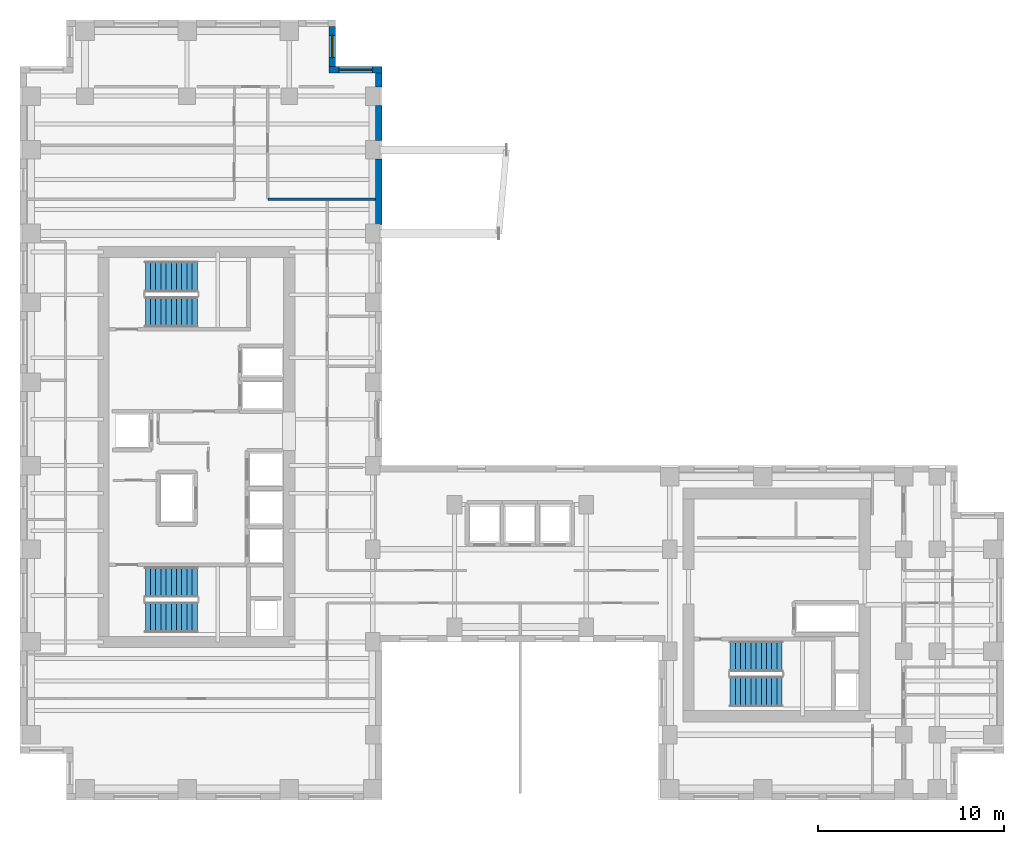
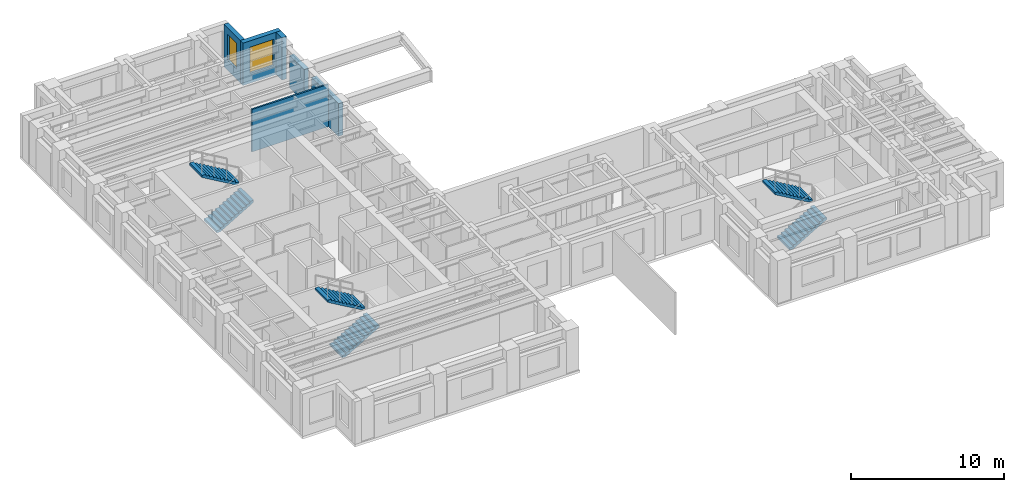
# One storey, part 11 of 13: 6 stair flights, 6 walls, 2 windows, 2 openings, 3 elements without a shape of their own.
"""IFC4 building model written with IfcOpenShell, lengths in metres."""

import ifcopenshell
import ifcopenshell.guid

model = None  # the IFC model being written
_history = None  # IfcOwnerHistory: only IFC2X3 demands one
_inside = {}  # id of a spatial element -> (the spatial element, [elements in it])
_under = {}  # id of a project, library or spatial element -> (it, [spatial elements below it])
_declared = {}  # id of a project -> (the project, [libraries it declares])
_typed = {}  # id of a type object -> (the type object, [elements of that type])
_made_of = {}  # id of a material, layer set ... -> (it, [elements and type objects made of it])


def new_model(schema):
    """Start an empty IFC model of exactly this schema.

    Asked for "IFC4X3", IfcOpenShell would pick the latest addendum, in which some entities
    have other attributes; the version numbers below select the first issue.
    IFC2X3 requires an IfcOwnerHistory on every rooted entity: one is made here for all.
    """
    global model, _history
    if schema == "IFC4X3":
        model = ifcopenshell.file(schema_version=(4, 3, 0, 0))
    else:
        model = ifcopenshell.file(schema=schema)
    _inside.clear()
    _under.clear()
    _declared.clear()
    _typed.clear()
    _made_of.clear()
    _history = None
    if model.schema == "IFC2X3":
        org = make("IfcOrganization", Name="unknown")
        user = make(
            "IfcPersonAndOrganization",
            ThePerson=make("IfcPerson", FamilyName="unknown"),
            TheOrganization=org,
        )
        app = make(
            "IfcApplication",
            ApplicationDeveloper=org,
            Version="unknown",
            ApplicationFullName="unknown",
            ApplicationIdentifier="unknown",
        )
        _history = make(
            "IfcOwnerHistory",
            OwningUser=user,
            OwningApplication=app,
            ChangeAction="ADDED",
            CreationDate=0,
        )
    return model


def make(cls, **values):
    """One entity of the class cls with the attributes given. An attribute that is None is left unset."""
    return model.create_entity(
        cls, **{name: value for name, value in values.items() if value is not None}
    )


def rooted(cls, **values):
    """An entity with a GlobalId (a new one), such as an element, a storey or a relation."""
    return make(cls, GlobalId=ifcopenshell.guid.new(), OwnerHistory=_history, **values)


def si_unit(unit_type, name, prefix=None):
    """IfcSIUnit, for example si_unit("LENGTHUNIT", "METRE", prefix="MILLI")."""
    return make("IfcSIUnit", UnitType=unit_type, Prefix=prefix, Name=name)


def assignment(units):
    """IfcUnitAssignment: the units of a project."""
    return None if units is None else make("IfcUnitAssignment", Units=units)


def point(xyz):
    """IfcCartesianPoint."""
    return None if xyz is None else make("IfcCartesianPoint", Coordinates=xyz)


def direction(xyz):
    """IfcDirection."""
    return None if xyz is None else make("IfcDirection", DirectionRatios=xyz)


def frame(location, z_axis=None, x_axis=None):
    """IfcAxis2Placement3D, a coordinate frame: its origin and axes. An axis left out is left unset."""
    return make(
        "IfcAxis2Placement3D",
        Location=point(location),
        Axis=direction(z_axis),
        RefDirection=direction(x_axis),
    )


def frame_2d(location, x_axis=None):
    """IfcAxis2Placement2D, a coordinate frame in the plane: its origin and x axis."""
    return make(
        "IfcAxis2Placement2D", Location=point(location), RefDirection=direction(x_axis)
    )


def origin():
    """The frame at (0, 0, 0) with its axes left unset."""
    return frame((0.0, 0.0, 0.0))


def place(relative_to, where):
    """IfcLocalPlacement: puts the frame where relative to a parent placement (None: the world)."""
    return make(
        "IfcLocalPlacement", PlacementRelTo=relative_to, RelativePlacement=where
    )


def context(
    kind, dimensions, precision=None, world=None, true_north=None, identifier=None
):
    """IfcGeometricRepresentationContext, for example the 3D "Model" context."""
    return make(
        "IfcGeometricRepresentationContext",
        ContextIdentifier=identifier,
        ContextType=kind,
        CoordinateSpaceDimension=dimensions,
        Precision=precision,
        WorldCoordinateSystem=world,
        TrueNorth=true_north,
    )


def subcontext(parent, identifier, kind, view, scale=None):
    """IfcGeometricRepresentationSubContext, for example "Body" below "Model"."""
    return make(
        "IfcGeometricRepresentationSubContext",
        ContextIdentifier=identifier,
        ContextType=kind,
        ParentContext=parent,
        TargetScale=scale,
        TargetView=view,
    )


def project(units=None, contexts=None):
    """IfcProject with its units and contexts."""
    return rooted(
        "IfcProject",
        Name="project",
        RepresentationContexts=contexts,
        UnitsInContext=assignment(units),
    )


def spatial(cls, under=None, at=None, **own):
    """A site, building, storey or space (cls), placed at a placement, below another one or the project."""
    s = rooted(cls, ObjectPlacement=at, **own)
    if under is not None:
        _under.setdefault(under.id(), (under, []))[1].append(s)
    return s


def polyline(points):
    """IfcPolyline through the points."""
    return make("IfcPolyline", Points=[point(p) for p in points])


def profile(cls, at=None, kind="AREA", **sizes):
    """A parametric profile (cls). Its sizes go by their IFC names, for example OverallWidth=200.0."""
    return make(cls, ProfileType=kind, Position=at, **sizes)


def rectangle(**sizes):
    """IfcRectangleProfileDef."""
    return profile("IfcRectangleProfileDef", **sizes)


def outline(outer, holes=None, kind="AREA"):
    """IfcArbitraryClosedProfileDef: a profile drawn as a closed curve; with holes, ...WithVoids."""
    if holes is None:
        return make("IfcArbitraryClosedProfileDef", ProfileType=kind, OuterCurve=outer)
    return make(
        "IfcArbitraryProfileDefWithVoids",
        ProfileType=kind,
        OuterCurve=outer,
        InnerCurves=holes,
    )


def extrude(swept, where, along, depth):
    """IfcExtrudedAreaSolid: the profile swept, set in the frame where, extruded along a direction by depth."""
    return make(
        "IfcExtrudedAreaSolid",
        SweptArea=swept,
        Position=where,
        ExtrudedDirection=direction(along),
        Depth=depth,
    )


def shape(context_of_items, identifier, shape_type, items):
    """IfcShapeRepresentation: the items that make up one representation, for example the "Body"."""
    return make(
        "IfcShapeRepresentation",
        ContextOfItems=context_of_items,
        RepresentationIdentifier=identifier,
        RepresentationType=shape_type,
        Items=items,
    )


def source(mapping_origin, context_of_items, identifier, shape_type, items):
    """IfcRepresentationMap: a shape defined once, which mapped items show again and again."""
    return make(
        "IfcRepresentationMap",
        MappingOrigin=mapping_origin,
        MappedRepresentation=shape(context_of_items, identifier, shape_type, items),
    )


def transform(
    local_origin,
    x_axis=None,
    y_axis=None,
    z_axis=None,
    scale=None,
    scale2=None,
    scale3=None,
    uniform=True,
):
    """IfcCartesianTransformationOperator3D, or its non-uniform kind. x_axis, y_axis, z_axis: its Axis1, 2, 3."""
    if uniform:
        return make(
            "IfcCartesianTransformationOperator3D",
            Axis1=direction(x_axis),
            Axis2=direction(y_axis),
            LocalOrigin=point(local_origin),
            Scale=scale,
            Axis3=direction(z_axis),
        )
    return make(
        "IfcCartesianTransformationOperator3DnonUniform",
        Axis1=direction(x_axis),
        Axis2=direction(y_axis),
        LocalOrigin=point(local_origin),
        Scale=scale,
        Axis3=direction(z_axis),
        Scale2=scale2,
        Scale3=scale3,
    )


def mapped(mapping_source, mapping_target):
    """IfcMappedItem: shows the shape of a source again, moved by a transform."""
    return make(
        "IfcMappedItem", MappingSource=mapping_source, MappingTarget=mapping_target
    )


def material(Name=None, Category=None):
    """IfcMaterial."""
    return make("IfcMaterial", Name=Name, Category=Category)


def layer(
    of_material, thickness, ventilated=None, Name=None, Category=None, Priority=None
):
    """IfcMaterialLayer: one layer of a wall or slab, of a material (None: an air gap)."""
    return make(
        "IfcMaterialLayer",
        Material=of_material,
        LayerThickness=thickness,
        IsVentilated=ventilated,
        Name=Name,
        Category=Category,
        Priority=Priority,
    )


def layer_set(layers, Name=None):
    """IfcMaterialLayerSet."""
    return make("IfcMaterialLayerSet", MaterialLayers=layers, LayerSetName=Name)


def made_of(thing, what):
    """Note that an element or type object is made of a material, layer set ...; save() writes the relation."""
    if what is not None:
        _made_of.setdefault(what.id(), (what, []))[1].append(thing)
    return thing


def type_object(cls, material=None, **own):
    """A type object (cls), such as IfcWallType, which elements share."""
    return made_of(rooted(cls, **own), material)


def element(
    cls,
    number,
    at=None,
    inside=None,
    cuts=None,
    type_object=None,
    material=None,
    context=None,
    identifier="Body",
    shape_type=None,
    held_by="IfcProductDefinitionShape",
    body=None,
    shapes=None,
    **own,
):
    """One element of the class cls, such as IfcWall. Its Tag is "e" and its number.

    at: its placement. inside: the storey or other place that contains it. cuts: it is an
    opening in that element (IfcRelVoidsElement). A single representation is given by context,
    identifier, shape_type and body (its items); several are given by shapes. held_by: the class
    of the entity that holds the representations. save() writes the other relations.
    """
    e = rooted(cls, Tag="e%d" % number, ObjectPlacement=at, **own)
    if body is not None:
        shapes = [shape(context, identifier, shape_type, body)]
    if shapes is not None:
        e.Representation = make(held_by, Representations=shapes)
    if inside is not None:
        _inside.setdefault(inside.id(), (inside, []))[1].append(e)
    if cuts is not None:
        rooted(
            "IfcRelVoidsElement", RelatingBuildingElement=cuts, RelatedOpeningElement=e
        )
    if type_object is not None:
        _typed.setdefault(type_object.id(), (type_object, []))[1].append(e)
    return made_of(e, material)


def fill(opening, filler):
    """IfcRelFillsElement: the door or window that sits in an opening."""
    return rooted(
        "IfcRelFillsElement",
        RelatingOpeningElement=opening,
        RelatedBuildingElement=filler,
    )


def aggregate(whole, parts):
    """IfcRelAggregates: a whole, such as a stair, and the parts it consists of."""
    return rooted("IfcRelAggregates", RelatingObject=whole, RelatedObjects=parts)


def save(model, path):
    """Write the relations noted so far, then the file.

    IfcRelAggregates (storeys below a building ...), IfcRelContainedInSpatialStructure (elements
    in a storey), IfcRelDefinesByType, IfcRelAssociatesMaterial and IfcRelDeclares: one each for
    every whole, place, type object, material and project.
    """
    for whole, parts in _under.values():
        aggregate(whole, parts)
    for where, things in _inside.values():
        rooted(
            "IfcRelContainedInSpatialStructure",
            RelatedElements=things,
            RelatingStructure=where,
        )
    for kind, things in _typed.values():
        rooted("IfcRelDefinesByType", RelatedObjects=things, RelatingType=kind)
    for what, things in _made_of.values():
        rooted("IfcRelAssociatesMaterial", RelatedObjects=things, RelatingMaterial=what)
    for by, libraries in _declared.values():
        rooted("IfcRelDeclares", RelatingContext=by, RelatedDefinitions=libraries)
    model.write(path)


model = new_model("IFC4")

# Units and contexts
model_context = context("Model", 3, precision=1e-05, world=origin(), true_north=direction((0.0, 1.0)))
body_context = subcontext(model_context, "Body", "Model", "MODEL_VIEW")
ifc_project = project(units=[si_unit("LENGTHUNIT", "METRE"), si_unit("AREAUNIT", "SQUARE_METRE"), si_unit("VOLUMEUNIT", "CUBIC_METRE"), si_unit("PLANEANGLEUNIT", "RADIAN"), si_unit("MASSUNIT", "GRAM", prefix="KILO")], contexts=[model_context])

# Site, building, storey
site_placement = place(None, origin())
site = spatial("IfcSite", under=ifc_project, at=site_placement, CompositionType="ELEMENT")
building_placement = place(site_placement, origin())
building = spatial("IfcBuilding", under=site, at=building_placement, Name="Kharzan Plaza Tower", CompositionType="ELEMENT")
storey_placement = place(building_placement, frame((0.0, 0.0, 197.10009765625)))
storey = spatial("IfcBuildingStorey", under=building, at=storey_placement, Name="L53", CompositionType="ELEMENT", Elevation=197.10009765625)

# Wall, opening, window
ifc_material_1 = material(Name="Concrete C40/50", Category="concrete")
ifc_layer_1 = layer(ifc_material_1, 0.35009765625)
ifc_layer_set_1 = layer_set([ifc_layer_1], Name="Concrete C40/50")
wall_type_1 = type_object("IfcWallType", Name="WL-EXT-MAS-Z3", PredefinedType="SOLIDWALL", material=ifc_layer_set_1)
wall_1_placement = place(storey_placement, frame((19.5, 39.324951171875, 0.0), z_axis=(0.0, 0.0, 1.0), x_axis=(-1.0, 0.0, 0.0)))
wall_1 = element("IfcWall", 1, at=wall_1_placement, inside=storey, type_object=wall_type_1, Name="L53 Masonry-Frame Exterior Wall 01", PredefinedType="SOLIDWALL", context=body_context, shape_type="SweptSolid", body=[
    extrude(rectangle(XDim=2.85009765625, YDim=0.35009765625, at=frame_2d((1.425048828125, 0.0))), origin(), (0.0, 0.0, 1.0), 3.385009765625),
])
opening_1_placement = place(wall_1_placement, frame((0.52490234375, 0.0, 0.780029296875)))
opening_1 = element("IfcOpeningElement", 2, at=opening_1_placement, cuts=wall_1, Name="Opening W1", PredefinedType="OPENING", context=body_context, shape_type="SweptSolid", body=[
    extrude(rectangle(XDim=1.800048828125, YDim=2.10009765625, at=frame_2d((0.89990234375, 1.050048828125))), frame((0.0, 0.18505859375, 0.0), z_axis=(0.0, -1.0, 0.0), x_axis=(1.0, 0.0, 0.0)), (0.0, 0.0, 1.0), 0.3701171875),
])
ifc_material_2 = material(Name="Low-E Double Glazing", Category="glass")
window_type_1 = type_object("IfcWindowType", Name="WN-REC-1800x2100", PartitioningType="SINGLE_PANEL", PredefinedType="WINDOW", material=ifc_material_2)
shared_shape_1 = source(origin(), body_context, "Body", "SweptSolid", [
    extrude(rectangle(XDim=1.800048828125, YDim=2.10009765625, at=frame_2d((0.89990234375, 1.050048828125))), frame((0.0, 0.030029296875, 0.0), z_axis=(0.0, -1.0, 0.0), x_axis=(1.0, 0.0, 0.0)), (0.0, 0.0, 1.0), 0.06005859375),
])
window_1_placement = place(opening_1_placement, origin())
window_1 = element("IfcWindow", 3, at=window_1_placement, inside=storey, type_object=window_type_1, Name="L53 Recessed Solar-Control Window 01-1", OverallHeight=2.10009765625, OverallWidth=1.800048828125, PartitioningType="SINGLE_PANEL", PredefinedType="WINDOW", context=body_context, shape_type="MappedRepresentation", body=[
    mapped(shared_shape_1, transform((0.0, 0.0, 0.0), x_axis=(1.0, 0.0, 0.0), y_axis=(0.0, 1.0, 0.0), z_axis=(0.0, 0.0, 1.0))),
])
fill(opening_1, window_1)

wall_2_placement = place(storey_placement, frame((16.824951171875, 39.498046875, 0.0), z_axis=(0.0, 0.0, 1.0), x_axis=(0.0, 1.0, 0.0)))
wall_2 = element("IfcWall", 4, at=wall_2_placement, inside=storey, type_object=wall_type_1, Name="L53 Masonry-Frame Exterior Wall 02", PredefinedType="SOLIDWALL", context=body_context, shape_type="SweptSolid", body=[
    extrude(rectangle(XDim=2.154052734375, YDim=0.35009765625, at=frame_2d((1.0771484375, 0.0))), origin(), (0.0, 0.0, 1.0), 3.385009765625),
])
opening_2_placement = place(wall_2_placement, frame((0.47705078125, 0.0, 0.780029296875)))
opening_2 = element("IfcOpeningElement", 5, at=opening_2_placement, cuts=wall_2, Name="Opening W3", PredefinedType="OPENING", context=body_context, shape_type="SweptSolid", body=[
    extrude(rectangle(XDim=1.199951171875, YDim=2.10009765625, at=frame_2d((0.60009765625, 1.050048828125))), frame((0.0, 0.18505859375, 0.0), z_axis=(0.0, -1.0, 0.0), x_axis=(1.0, 0.0, 0.0)), (0.0, 0.0, 1.0), 0.3701171875),
])
window_type_2 = type_object("IfcWindowType", Name="WN-REC-1200x2100", PartitioningType="SINGLE_PANEL", PredefinedType="WINDOW", material=ifc_material_2)
shared_shape_2 = source(origin(), body_context, "Body", "SweptSolid", [
    extrude(rectangle(XDim=1.199951171875, YDim=2.10009765625, at=frame_2d((0.60009765625, 1.050048828125))), frame((0.0, 0.030029296875, 0.0), z_axis=(0.0, -1.0, 0.0), x_axis=(1.0, 0.0, 0.0)), (0.0, 0.0, 1.0), 0.06005859375),
])
window_2_placement = place(opening_2_placement, origin())
window_2 = element("IfcWindow", 6, at=window_2_placement, inside=storey, type_object=window_type_2, Name="L53 Recessed Solar-Control Window 02-1", OverallHeight=2.10009765625, OverallWidth=1.199951171875, PartitioningType="SINGLE_PANEL", PredefinedType="WINDOW", context=body_context, shape_type="MappedRepresentation", body=[
    mapped(shared_shape_2, transform((0.0, 0.0, 0.0), x_axis=(1.0, 0.0, 0.0), y_axis=(0.0, 1.0, 0.0), z_axis=(0.0, 0.0, 1.0))),
])
fill(opening_2, window_2)

# Walls
shared_shape_3 = source(origin(), body_context, "Body", "SweptSolid", [
    extrude(rectangle(XDim=0.754150390625, YDim=0.35009765625, at=frame_2d((0.376953125, 0.0))), origin(), (0.0, 0.0, 1.0), 3.385009765625),
])
wall_3_placement = place(storey_placement, frame((19.324951171875, 38.39794921875, 0.0), z_axis=(0.0, 0.0, 1.0), x_axis=(0.0, 1.0, 0.0)))
element("IfcWall", 7, at=wall_3_placement, inside=storey, type_object=wall_type_1, Name="L53 Masonry-Frame Exterior Wall 53", PredefinedType="SOLIDWALL", context=body_context, shape_type="MappedRepresentation", body=[
    mapped(shared_shape_3, transform((0.0, 0.0, 0.0), x_axis=(1.0, 0.0, 0.0), y_axis=(0.0, 1.0, 0.0), z_axis=(0.0, 0.0, 1.0))),
])
shared_shape_4 = source(origin(), body_context, "Body", "SweptSolid", [
    extrude(rectangle(XDim=1.904052734375, YDim=0.35009765625, at=frame_2d((0.9521484375, 0.0))), origin(), (0.0, 0.0, 1.0), 2.61181640625),
])
wall_4_placement = place(storey_placement, frame((19.324951171875, 35.498046875, 0.0), z_axis=(0.0, 0.0, 1.0), x_axis=(0.0, 1.0, 0.0)))
element("IfcWall", 8, at=wall_4_placement, inside=storey, type_object=wall_type_1, Name="L53 Masonry-Frame Exterior Wall 52", PredefinedType="SOLIDWALL", context=body_context, shape_type="MappedRepresentation", body=[
    mapped(shared_shape_4, transform((0.0, 0.0, 0.0), x_axis=(1.0, 0.0, 0.0), y_axis=(0.0, 1.0, 0.0), z_axis=(0.0, 0.0, 1.0))),
])
shared_shape_5 = source(origin(), body_context, "Body", "SweptSolid", [
    extrude(rectangle(XDim=3.50390625, YDim=0.35009765625, at=frame_2d((1.751953125, 0.0))), origin(), (0.0, 0.0, 1.0), 2.61181640625),
])
wall_5_placement = place(storey_placement, frame((19.324951171875, 30.998046875, 0.0), z_axis=(0.0, 0.0, 1.0), x_axis=(0.0, 1.0, 0.0)))
element("IfcWall", 9, at=wall_5_placement, inside=storey, type_object=wall_type_1, Name="L53 Masonry-Frame Exterior Wall 51", PredefinedType="SOLIDWALL", context=body_context, shape_type="MappedRepresentation", body=[
    mapped(shared_shape_5, transform((0.0, 0.0, 0.0), x_axis=(1.0, 0.0, 0.0), y_axis=(0.0, 1.0, 0.0), z_axis=(0.0, 0.0, 1.0))),
])
ifc_material_3 = material(Name="Fire-Rated Gypsum Board Partition", Category="gypsum")
ifc_layer_2 = layer(ifc_material_3, 0.125)
ifc_layer_set_2 = layer_set([ifc_layer_2], Name="Fire-Rated Gypsum Board Partition")
wall_type_2 = type_object("IfcWallType", Name="WL-INT-PART-125", PredefinedType="PARTITIONING", material=ifc_layer_set_2)
shared_shape_6 = source(origin(), body_context, "Body", "SweptSolid", [
    extrude(rectangle(XDim=5.7978515625, YDim=0.125, at=frame_2d((2.89892578125, 0.0))), origin(), (0.0, 0.0, 1.0), 3.385009765625),
])
wall_6_placement = place(storey_placement, frame((13.35009765625, 32.35009765625, 0.0), z_axis=(0.0, 0.0, 1.0), x_axis=(1.0, 0.0, 0.0)))
element("IfcWall", 10, at=wall_6_placement, inside=storey, type_object=wall_type_2, Name="L53 Interior Partition SH-NNE", PredefinedType="PARTITIONING", context=body_context, shape_type="MappedRepresentation", body=[
    mapped(shared_shape_6, transform((0.0, 0.0, 0.0), x_axis=(1.0, 0.0, 0.0), y_axis=(0.0, 1.0, 0.0), z_axis=(0.0, 0.0, 1.0))),
])

# Stair, stair flights
stair_type_1 = type_object("IfcStairType", Name="STR-ST-1", PredefinedType="HALF_TURN_STAIR", material=ifc_material_1)
stair_1_placement = place(storey_placement, origin())
stair_1 = element("IfcStair", 11, at=stair_1_placement, inside=storey, type_object=stair_type_1, Name="L53 Protected Exit Stair ST-1", PredefinedType="HALF_TURN_STAIR")
stair_flight_type = type_object("IfcStairFlightType", Name="SFL-1650-R173", PredefinedType="STRAIGHT", material=ifc_material_1)
shared_shape_7 = source(origin(), body_context, "Body", "SweptSolid", [
    extrude(outline(polyline([(-0.0029296875, -0.011962890625), (-0.0029296875, 0.0), (0.0, 0.0), (0.0, 0.16357421875), (0.280029296875, 0.16357421875), (0.280029296875, 0.3271484375), (0.56005859375, 0.3271484375), (0.56005859375, 0.49072265625), (0.840087890625, 0.49072265625), (0.840087890625, 0.654296875), (1.1201171875, 0.654296875), (1.1201171875, 0.81787109375), (1.400146484375, 0.81787109375), (1.400146484375, 0.9814453125), (1.68017578125, 0.9814453125), (1.68017578125, 1.14501953125), (1.960205078125, 1.14501953125), (1.960205078125, 1.30859375), (2.240234375, 1.30859375), (2.240234375, 1.47216796875), (2.520263671875, 1.47216796875), (2.520263671875, 1.6357421875), (2.80029296875, 1.6357421875), (2.80029296875, 1.79931640625), (2.80029296875, 1.462158203125), (0.297119140625, 0.0), (0.297119140625, -0.011962890625), (-0.0029296875, -0.011962890625)])), frame((0.0, 0.824951171875, 0.0), z_axis=(0.0, -1.0, 0.0), x_axis=(1.0, 0.0, 0.0)), (0.0, 0.0, 1.0), 1.64990234375),
])
stair_flight_1_placement = place(storey_placement, frame((6.75, 9.824951171875, 0.0), z_axis=(0.0, 0.0, 1.0), x_axis=(1.0, 0.0, 0.0)))
stair_flight_1 = element("IfcStairFlight", 12, at=stair_flight_1_placement, type_object=stair_flight_type, Name="ST-1 flight 1", NumberOfRisers=11, NumberOfTreads=10, PredefinedType="STRAIGHT", RiserHeight=0.163636364, TreadLength=0.28, context=body_context, shape_type="MappedRepresentation", body=[
    mapped(shared_shape_7, transform((0.0, 0.0, 0.0), x_axis=(1.0, 0.0, 0.0), y_axis=(0.0, 1.0, 0.0), z_axis=(0.0, 0.0, 1.0))),
])
stair_flight_2_placement = place(storey_placement, frame((9.550048828125, 11.72509765625, 1.7998046875), z_axis=(0.0, 0.0, 1.0), x_axis=(-1.0, 0.0, 0.0)))
stair_flight_2 = element("IfcStairFlight", 13, at=stair_flight_2_placement, type_object=stair_flight_type, Name="ST-1 flight 2", NumberOfRisers=11, NumberOfTreads=10, PredefinedType="STRAIGHT", RiserHeight=0.163636364, TreadLength=0.28, context=body_context, shape_type="MappedRepresentation", body=[
    mapped(shared_shape_7, transform((0.0, 0.0, 0.0), x_axis=(1.0, 0.0, 0.0), y_axis=(0.0, 1.0, 0.0), z_axis=(0.0, 0.0, 1.0))),
])
aggregate(stair_1, [stair_flight_1, stair_flight_2])

stair_type_2 = type_object("IfcStairType", Name="STR-ST-2", PredefinedType="HALF_TURN_STAIR", material=ifc_material_1)
stair_2_placement = place(storey_placement, origin())
stair_2 = element("IfcStair", 14, at=stair_2_placement, inside=storey, type_object=stair_type_2, Name="L53 Protected Exit Stair ST-2", PredefinedType="HALF_TURN_STAIR")
stair_flight_3_placement = place(storey_placement, frame((6.75, 26.27490234375, 0.0), z_axis=(0.0, 0.0, 1.0), x_axis=(1.0, 0.0, 0.0)))
stair_flight_3 = element("IfcStairFlight", 15, at=stair_flight_3_placement, type_object=stair_flight_type, Name="ST-2 flight 1", NumberOfRisers=11, NumberOfTreads=10, PredefinedType="STRAIGHT", RiserHeight=0.163636364, TreadLength=0.28, context=body_context, shape_type="MappedRepresentation", body=[
    mapped(shared_shape_7, transform((0.0, 0.0, 0.0), x_axis=(1.0, 0.0, 0.0), y_axis=(0.0, 1.0, 0.0), z_axis=(0.0, 0.0, 1.0))),
])
stair_flight_4_placement = place(storey_placement, frame((9.550048828125, 28.175048828125, 1.7998046875), z_axis=(0.0, 0.0, 1.0), x_axis=(-1.0, 0.0, 0.0)))
stair_flight_4 = element("IfcStairFlight", 16, at=stair_flight_4_placement, type_object=stair_flight_type, Name="ST-2 flight 2", NumberOfRisers=11, NumberOfTreads=10, PredefinedType="STRAIGHT", RiserHeight=0.163636364, TreadLength=0.28, context=body_context, shape_type="MappedRepresentation", body=[
    mapped(shared_shape_7, transform((0.0, 0.0, 0.0), x_axis=(1.0, 0.0, 0.0), y_axis=(0.0, 1.0, 0.0), z_axis=(0.0, 0.0, 1.0))),
])
aggregate(stair_2, [stair_flight_3, stair_flight_4])

stair_type_3 = type_object("IfcStairType", Name="STR-ST-3", PredefinedType="HALF_TURN_STAIR", material=ifc_material_1)
stair_3_placement = place(storey_placement, origin())
stair_3 = element("IfcStair", 17, at=stair_3_placement, inside=storey, type_object=stair_type_3, Name="L53 Protected Exit Stair ST-3", PredefinedType="HALF_TURN_STAIR")
stair_flight_5_placement = place(storey_placement, frame((38.25, 5.824951171875, 0.0), z_axis=(0.0, 0.0, 1.0), x_axis=(1.0, 0.0, 0.0)))
stair_flight_5 = element("IfcStairFlight", 18, at=stair_flight_5_placement, type_object=stair_flight_type, Name="ST-3 flight 1", NumberOfRisers=11, NumberOfTreads=10, PredefinedType="STRAIGHT", RiserHeight=0.163636364, TreadLength=0.28, context=body_context, shape_type="MappedRepresentation", body=[
    mapped(shared_shape_7, transform((0.0, 0.0, 0.0), x_axis=(1.0, 0.0, 0.0), y_axis=(0.0, 1.0, 0.0), z_axis=(0.0, 0.0, 1.0))),
])
stair_flight_6_placement = place(storey_placement, frame((41.050048828125, 7.72509765625, 1.7998046875), z_axis=(0.0, 0.0, 1.0), x_axis=(-1.0, 0.0, 0.0)))
stair_flight_6 = element("IfcStairFlight", 19, at=stair_flight_6_placement, type_object=stair_flight_type, Name="ST-3 flight 2", NumberOfRisers=11, NumberOfTreads=10, PredefinedType="STRAIGHT", RiserHeight=0.163636364, TreadLength=0.28, context=body_context, shape_type="MappedRepresentation", body=[
    mapped(shared_shape_7, transform((0.0, 0.0, 0.0), x_axis=(1.0, 0.0, 0.0), y_axis=(0.0, 1.0, 0.0), z_axis=(0.0, 0.0, 1.0))),
])
aggregate(stair_3, [stair_flight_5, stair_flight_6])

save(model, "model.ifc")
